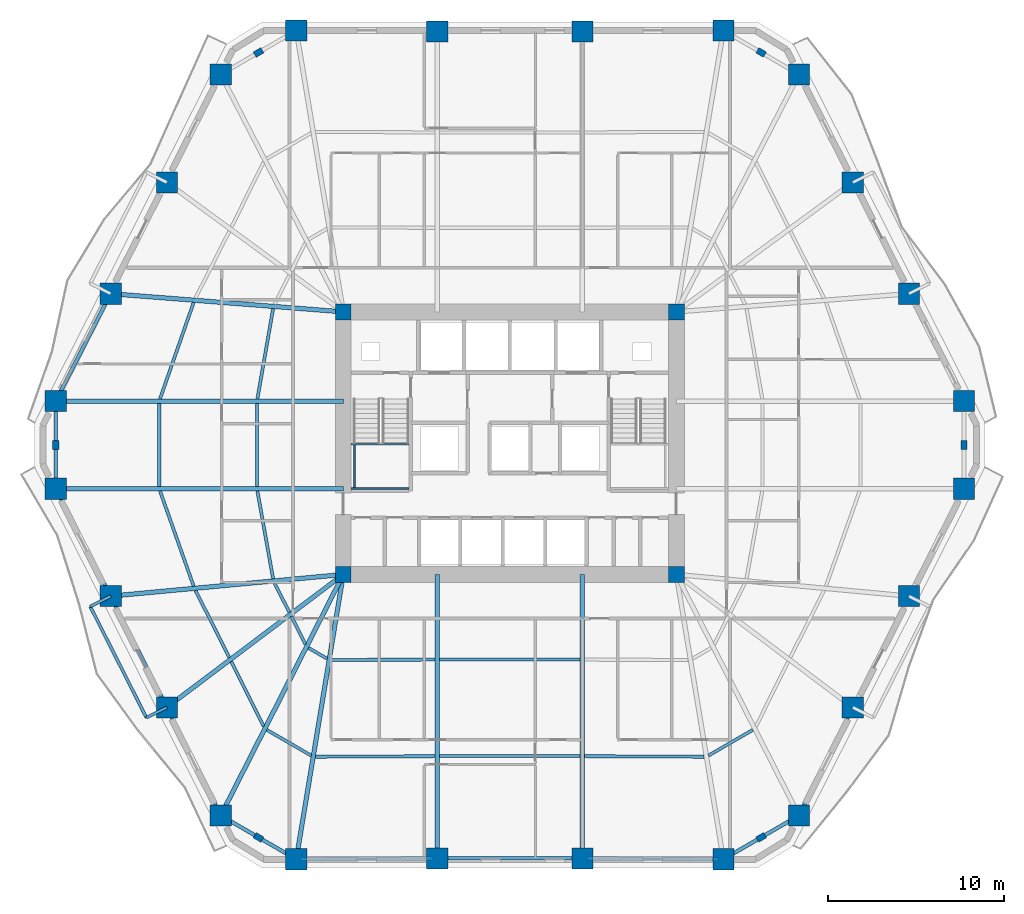
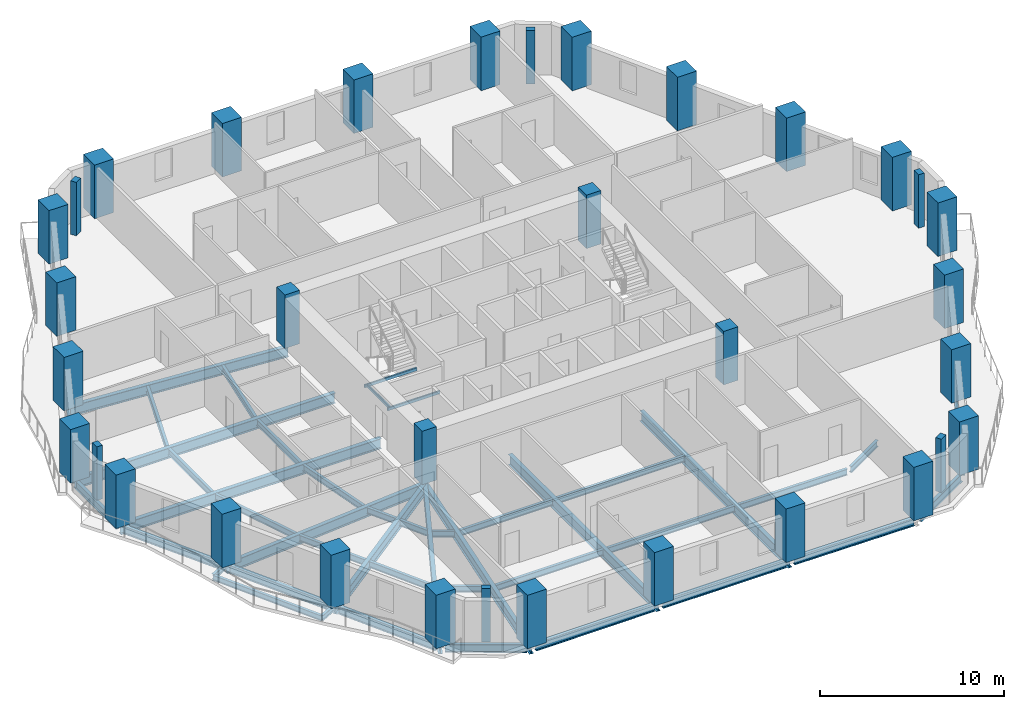
# One storey, part 1 of 11: 44 beams, 34 columns.
"""IFC4 building model written with IfcOpenShell, lengths in metres."""

import ifcopenshell
import ifcopenshell.guid

model = None  # the IFC model being written
_history = None  # IfcOwnerHistory: only IFC2X3 demands one
_inside = {}  # id of a spatial element -> (the spatial element, [elements in it])
_under = {}  # id of a project, library or spatial element -> (it, [spatial elements below it])
_declared = {}  # id of a project -> (the project, [libraries it declares])
_typed = {}  # id of a type object -> (the type object, [elements of that type])
_made_of = {}  # id of a material, layer set ... -> (it, [elements and type objects made of it])


def new_model(schema):
    """Start an empty IFC model of exactly this schema.

    Asked for "IFC4X3", IfcOpenShell would pick the latest addendum, in which some entities
    have other attributes; the version numbers below select the first issue.
    IFC2X3 requires an IfcOwnerHistory on every rooted entity: one is made here for all.
    """
    global model, _history
    if schema == "IFC4X3":
        model = ifcopenshell.file(schema_version=(4, 3, 0, 0))
    else:
        model = ifcopenshell.file(schema=schema)
    _inside.clear()
    _under.clear()
    _declared.clear()
    _typed.clear()
    _made_of.clear()
    _history = None
    if model.schema == "IFC2X3":
        org = make("IfcOrganization", Name="unknown")
        user = make(
            "IfcPersonAndOrganization",
            ThePerson=make("IfcPerson", FamilyName="unknown"),
            TheOrganization=org,
        )
        app = make(
            "IfcApplication",
            ApplicationDeveloper=org,
            Version="unknown",
            ApplicationFullName="unknown",
            ApplicationIdentifier="unknown",
        )
        _history = make(
            "IfcOwnerHistory",
            OwningUser=user,
            OwningApplication=app,
            ChangeAction="ADDED",
            CreationDate=0,
        )
    return model


def make(cls, **values):
    """One entity of the class cls with the attributes given. An attribute that is None is left unset."""
    return model.create_entity(
        cls, **{name: value for name, value in values.items() if value is not None}
    )


def rooted(cls, **values):
    """An entity with a GlobalId (a new one), such as an element, a storey or a relation."""
    return make(cls, GlobalId=ifcopenshell.guid.new(), OwnerHistory=_history, **values)


def si_unit(unit_type, name, prefix=None):
    """IfcSIUnit, for example si_unit("LENGTHUNIT", "METRE", prefix="MILLI")."""
    return make("IfcSIUnit", UnitType=unit_type, Prefix=prefix, Name=name)


def assignment(units):
    """IfcUnitAssignment: the units of a project."""
    return None if units is None else make("IfcUnitAssignment", Units=units)


def point(xyz):
    """IfcCartesianPoint."""
    return None if xyz is None else make("IfcCartesianPoint", Coordinates=xyz)


def direction(xyz):
    """IfcDirection."""
    return None if xyz is None else make("IfcDirection", DirectionRatios=xyz)


def frame(location, z_axis=None, x_axis=None):
    """IfcAxis2Placement3D, a coordinate frame: its origin and axes. An axis left out is left unset."""
    return make(
        "IfcAxis2Placement3D",
        Location=point(location),
        Axis=direction(z_axis),
        RefDirection=direction(x_axis),
    )


def frame_2d(location, x_axis=None):
    """IfcAxis2Placement2D, a coordinate frame in the plane: its origin and x axis."""
    return make(
        "IfcAxis2Placement2D", Location=point(location), RefDirection=direction(x_axis)
    )


def origin():
    """The frame at (0, 0, 0) with its axes left unset."""
    return frame((0.0, 0.0, 0.0))


def origin_2d():
    """The frame at (0, 0) in the plane with its x axis left unset."""
    return frame_2d((0.0, 0.0))


def place(relative_to, where):
    """IfcLocalPlacement: puts the frame where relative to a parent placement (None: the world)."""
    return make(
        "IfcLocalPlacement", PlacementRelTo=relative_to, RelativePlacement=where
    )


def context(
    kind, dimensions, precision=None, world=None, true_north=None, identifier=None
):
    """IfcGeometricRepresentationContext, for example the 3D "Model" context."""
    return make(
        "IfcGeometricRepresentationContext",
        ContextIdentifier=identifier,
        ContextType=kind,
        CoordinateSpaceDimension=dimensions,
        Precision=precision,
        WorldCoordinateSystem=world,
        TrueNorth=true_north,
    )


def subcontext(parent, identifier, kind, view, scale=None):
    """IfcGeometricRepresentationSubContext, for example "Body" below "Model"."""
    return make(
        "IfcGeometricRepresentationSubContext",
        ContextIdentifier=identifier,
        ContextType=kind,
        ParentContext=parent,
        TargetScale=scale,
        TargetView=view,
    )


def project(units=None, contexts=None):
    """IfcProject with its units and contexts."""
    return rooted(
        "IfcProject",
        Name="project",
        RepresentationContexts=contexts,
        UnitsInContext=assignment(units),
    )


def spatial(cls, under=None, at=None, **own):
    """A site, building, storey or space (cls), placed at a placement, below another one or the project."""
    s = rooted(cls, ObjectPlacement=at, **own)
    if under is not None:
        _under.setdefault(under.id(), (under, []))[1].append(s)
    return s


def profile(cls, at=None, kind="AREA", **sizes):
    """A parametric profile (cls). Its sizes go by their IFC names, for example OverallWidth=200.0."""
    return make(cls, ProfileType=kind, Position=at, **sizes)


def rectangle(**sizes):
    """IfcRectangleProfileDef."""
    return profile("IfcRectangleProfileDef", **sizes)


def hollow_rectangle(**sizes):
    """IfcRectangleHollowProfileDef."""
    return profile("IfcRectangleHollowProfileDef", **sizes)


def i_section(**sizes):
    """IfcIShapeProfileDef."""
    return profile("IfcIShapeProfileDef", **sizes)


def extrude(swept, where, along, depth):
    """IfcExtrudedAreaSolid: the profile swept, set in the frame where, extruded along a direction by depth."""
    return make(
        "IfcExtrudedAreaSolid",
        SweptArea=swept,
        Position=where,
        ExtrudedDirection=direction(along),
        Depth=depth,
    )


def shape(context_of_items, identifier, shape_type, items):
    """IfcShapeRepresentation: the items that make up one representation, for example the "Body"."""
    return make(
        "IfcShapeRepresentation",
        ContextOfItems=context_of_items,
        RepresentationIdentifier=identifier,
        RepresentationType=shape_type,
        Items=items,
    )


def material(Name=None, Category=None):
    """IfcMaterial."""
    return make("IfcMaterial", Name=Name, Category=Category)


def material_profile(
    of_material, cross_section, Name=None, Category=None, Priority=None
):
    """IfcMaterialProfile: a cross section and its material."""
    return make(
        "IfcMaterialProfile",
        Name=Name,
        Material=of_material,
        Profile=cross_section,
        Priority=Priority,
        Category=Category,
    )


def profile_set(profiles, Name=None, composite=None):
    """IfcMaterialProfileSet."""
    return make(
        "IfcMaterialProfileSet",
        Name=Name,
        MaterialProfiles=profiles,
        CompositeProfile=composite,
    )


def made_of(thing, what):
    """Note that an element or type object is made of a material, layer set ...; save() writes the relation."""
    if what is not None:
        _made_of.setdefault(what.id(), (what, []))[1].append(thing)
    return thing


def type_object(cls, material=None, **own):
    """A type object (cls), such as IfcWallType, which elements share."""
    return made_of(rooted(cls, **own), material)


def element(
    cls,
    number,
    at=None,
    inside=None,
    cuts=None,
    type_object=None,
    material=None,
    context=None,
    identifier="Body",
    shape_type=None,
    held_by="IfcProductDefinitionShape",
    body=None,
    shapes=None,
    **own,
):
    """One element of the class cls, such as IfcWall. Its Tag is "e" and its number.

    at: its placement. inside: the storey or other place that contains it. cuts: it is an
    opening in that element (IfcRelVoidsElement). A single representation is given by context,
    identifier, shape_type and body (its items); several are given by shapes. held_by: the class
    of the entity that holds the representations. save() writes the other relations.
    """
    e = rooted(cls, Tag="e%d" % number, ObjectPlacement=at, **own)
    if body is not None:
        shapes = [shape(context, identifier, shape_type, body)]
    if shapes is not None:
        e.Representation = make(held_by, Representations=shapes)
    if inside is not None:
        _inside.setdefault(inside.id(), (inside, []))[1].append(e)
    if cuts is not None:
        rooted(
            "IfcRelVoidsElement", RelatingBuildingElement=cuts, RelatedOpeningElement=e
        )
    if type_object is not None:
        _typed.setdefault(type_object.id(), (type_object, []))[1].append(e)
    return made_of(e, material)


def aggregate(whole, parts):
    """IfcRelAggregates: a whole, such as a stair, and the parts it consists of."""
    return rooted("IfcRelAggregates", RelatingObject=whole, RelatedObjects=parts)


def save(model, path):
    """Write the relations noted so far, then the file.

    IfcRelAggregates (storeys below a building ...), IfcRelContainedInSpatialStructure (elements
    in a storey), IfcRelDefinesByType, IfcRelAssociatesMaterial and IfcRelDeclares: one each for
    every whole, place, type object, material and project.
    """
    for whole, parts in _under.values():
        aggregate(whole, parts)
    for where, things in _inside.values():
        rooted(
            "IfcRelContainedInSpatialStructure",
            RelatedElements=things,
            RelatingStructure=where,
        )
    for kind, things in _typed.values():
        rooted("IfcRelDefinesByType", RelatedObjects=things, RelatingType=kind)
    for what, things in _made_of.values():
        rooted("IfcRelAssociatesMaterial", RelatedObjects=things, RelatingMaterial=what)
    for by, libraries in _declared.values():
        rooted("IfcRelDeclares", RelatingContext=by, RelatedDefinitions=libraries)
    model.write(path)


model = new_model("IFC4")

# Units and contexts
model_context = context("Model", 3, precision=1e-05, world=origin(), true_north=direction((0.0, 1.0)))
body_context = subcontext(model_context, "Body", "Model", "MODEL_VIEW")
ifc_project = project(units=[si_unit("LENGTHUNIT", "METRE"), si_unit("AREAUNIT", "SQUARE_METRE"), si_unit("VOLUMEUNIT", "CUBIC_METRE"), si_unit("PLANEANGLEUNIT", "RADIAN"), si_unit("MASSUNIT", "GRAM", prefix="KILO")], contexts=[model_context])

# Site, building, storey
site_placement = place(None, origin())
site = spatial("IfcSite", under=ifc_project, at=site_placement, CompositionType="ELEMENT")
building_placement = place(site_placement, origin())
building = spatial("IfcBuilding", under=site, at=building_placement, Name="Cinnabar Lancet Tower", CompositionType="ELEMENT")
storey_placement = place(building_placement, frame((0.0, 0.0, 56.85009765625)))
storey = spatial("IfcBuildingStorey", under=building, at=storey_placement, Name="L14", CompositionType="ELEMENT", Elevation=56.85009765625)

# Columns
ifc_material_1 = material(Name="Concrete C80/95", Category="concrete")
ifc_material_profile_1 = material_profile(ifc_material_1, rectangle(XDim=0.89990234375, YDim=0.89990234375, at=origin_2d()), Name="RC-COL 900x900")
ifc_profile_set_1 = profile_set([ifc_material_profile_1], Name="Concrete C80/95")
column_type_1 = type_object("IfcColumnType", Name="STR-COL-CORE-900", PredefinedType="COLUMN", material=ifc_profile_set_1)
for number, where, z_axis, x_axis, name in (
    (1, (22.949951171875, 18.449951171875, 0.0), (0.0, 0.0, 1.0), (1.0, 0.0, 0.0), "L14 Core Corner Column SW"),
    (2, (41.85009765625, 18.449951171875, 0.0), (0.0, 0.0, 1.0), (1.0, 0.0, 0.0), "L14 Core Corner Column SE"),
    (3, (41.85009765625, 33.35009765625, 0.0), (0.0, 0.0, 1.0), (1.0, 0.0, 0.0), "L14 Core Corner Column NE"),
    (4, (22.949951171875, 33.35009765625, 0.0), (0.0, 0.0, 1.0), (1.0, 0.0, 0.0), "L14 Core Corner Column NW"),
):
    element("IfcColumn", number, at=place(storey_placement, frame(where, z_axis=z_axis, x_axis=x_axis)), inside=storey, type_object=column_type_1, Name=name, PredefinedType="COLUMN", context=body_context, shape_type="SweptSolid", body=[
        extrude(rectangle(XDim=0.89990234375, YDim=0.89990234375, at=origin_2d()), origin(), (0.0, 0.0, 1.0), 3.5498046875),
    ])
ifc_material_2 = material(Name="Concrete C60/75", Category="concrete")
ifc_material_profile_2 = material_profile(ifc_material_2, rectangle(XDim=0.5, YDim=0.35009765625, at=origin_2d()), Name="RC-PIL 500x350")
ifc_profile_set_2 = profile_set([ifc_material_profile_2], Name="Concrete C60/75")
column_type_2 = type_object("IfcColumnType", Name="STR-COL-PIL-500", PredefinedType="PILASTER", material=ifc_profile_set_2)
for number, where, z_axis, x_axis, name in (
    (5, (18.139892578125, 3.531005859375, 0.0), (0.0, 0.0, 1.0), (0.865195182343, -0.501435236546, 0.0), "L14 Chamfered Corner Pilaster 1"),
    (6, (46.659912109375, 3.531005859375, 0.0), (0.0, 0.0, 1.0), (0.865195182343, 0.501435236546, 0.0), "L14 Chamfered Corner Pilaster 2"),
    (7, (58.16796875, 25.800048828125, 0.0), (0.0, 0.0, 1.0), (0.0, 1.0, 0.0), "L14 Chamfered Corner Pilaster 3"),
    (8, (46.659912109375, 48.069091796875, 0.0), (0.0, 0.0, 1.0), (-0.865195182343, 0.501435236546, 0.0), "L14 Chamfered Corner Pilaster 4"),
    (9, (18.139892578125, 48.069091796875, 0.0), (0.0, 0.0, 1.0), (-0.865195182343, -0.501435236546, 0.0), "L14 Chamfered Corner Pilaster 5"),
    (10, (6.632080078125, 25.800048828125, 0.0), (0.0, 0.0, 1.0), (0.0, -1.0, 0.0), "L14 Chamfered Corner Pilaster 6"),
):
    element("IfcColumn", number, at=place(storey_placement, frame(where, z_axis=z_axis, x_axis=x_axis)), inside=storey, type_object=column_type_2, Name=name, PredefinedType="PILASTER", context=body_context, shape_type="SweptSolid", body=[
        extrude(rectangle(XDim=0.5, YDim=0.35009765625, at=origin_2d()), origin(), (0.0, 0.0, 1.0), 3.5498046875),
    ])
ifc_material_3 = material(Name="Concrete C80/95", Category="concrete")
ifc_material_profile_3 = material_profile(ifc_material_3, rectangle(XDim=1.199951171875, YDim=1.199951171875, at=origin_2d()), Name="RC-COL 1200x1200")
ifc_profile_set_3 = profile_set([ifc_material_profile_3], Name="Concrete C80/95")
column_type_3 = type_object("IfcColumnType", Name="STR-COL-TUBE-1200", PredefinedType="COLUMN", material=ifc_profile_set_3)
for number, where, z_axis, x_axis, name in (
    (11, (20.282958984375, 2.2890625, 0.0), (0.0, 0.0, 1.0), (1.0, 0.0, 0.0), "L14 Perimeter Tube Column 1"),
    (12, (28.278076171875, 2.342041015625, 0.0), (0.0, 0.0, 1.0), (1.0, 0.0, 0.0), "L14 Perimeter Tube Column 2"),
    (13, (36.52197265625, 2.342041015625, 0.0), (0.0, 0.0, 1.0), (1.0, 0.0, 0.0), "L14 Perimeter Tube Column 3"),
    (14, (44.51708984375, 2.2890625, 0.0), (0.0, 0.0, 1.0), (1.0, 0.0, 0.0), "L14 Perimeter Tube Column 4"),
    (15, (48.802978515625, 4.77294921875, 0.0), (0.0, 0.0, 1.0), (1.0, 0.0, 0.0), "L14 Perimeter Tube Column 5"),
    (16, (51.85888671875, 10.908935546875, 0.0), (0.0, 0.0, 1.0), (1.0, 0.0, 0.0), "L14 Perimeter Tube Column 6"),
    (17, (55.0458984375, 17.219970703125, 0.0), (0.0, 0.0, 1.0), (1.0, 0.0, 0.0), "L14 Perimeter Tube Column 7"),
    (18, (58.16796875, 23.31396484375, 0.0), (0.0, 0.0, 1.0), (1.0, 0.0, 0.0), "L14 Perimeter Tube Column 8"),
    (19, (58.16796875, 28.285888671875, 0.0), (0.0, 0.0, 1.0), (1.0, 0.0, 0.0), "L14 Perimeter Tube Column 9"),
    (20, (55.0458984375, 34.3798828125, 0.0), (0.0, 0.0, 1.0), (1.0, 0.0, 0.0), "L14 Perimeter Tube Column 10"),
    (21, (51.85888671875, 40.69091796875, 0.0), (0.0, 0.0, 1.0), (1.0, 0.0, 0.0), "L14 Perimeter Tube Column 11"),
    (22, (48.802978515625, 46.826904296875, 0.0), (0.0, 0.0, 1.0), (1.0, 0.0, 0.0), "L14 Perimeter Tube Column 12"),
    (23, (44.51708984375, 49.31103515625, 0.0), (0.0, 0.0, 1.0), (1.0, 0.0, 0.0), "L14 Perimeter Tube Column 13"),
    (24, (36.52197265625, 49.258056640625, 0.0), (0.0, 0.0, 1.0), (1.0, 0.0, 0.0), "L14 Perimeter Tube Column 14"),
    (25, (28.278076171875, 49.258056640625, 0.0), (0.0, 0.0, 1.0), (1.0, 0.0, 0.0), "L14 Perimeter Tube Column 15"),
    (26, (20.282958984375, 49.31103515625, 0.0), (0.0, 0.0, 1.0), (1.0, 0.0, 0.0), "L14 Perimeter Tube Column 16"),
    (27, (15.9970703125, 46.826904296875, 0.0), (0.0, 0.0, 1.0), (1.0, 0.0, 0.0), "L14 Perimeter Tube Column 17"),
    (28, (12.94091796875, 40.69091796875, 0.0), (0.0, 0.0, 1.0), (1.0, 0.0, 0.0), "L14 Perimeter Tube Column 18"),
    (29, (9.75390625, 34.3798828125, 0.0), (0.0, 0.0, 1.0), (1.0, 0.0, 0.0), "L14 Perimeter Tube Column 19"),
    (30, (6.632080078125, 28.285888671875, 0.0), (0.0, 0.0, 1.0), (1.0, 0.0, 0.0), "L14 Perimeter Tube Column 20"),
    (31, (6.632080078125, 23.31396484375, 0.0), (0.0, 0.0, 1.0), (1.0, 0.0, 0.0), "L14 Perimeter Tube Column 21"),
    (32, (9.75390625, 17.219970703125, 0.0), (0.0, 0.0, 1.0), (1.0, 0.0, 0.0), "L14 Perimeter Tube Column 22"),
    (33, (12.94091796875, 10.908935546875, 0.0), (0.0, 0.0, 1.0), (1.0, 0.0, 0.0), "L14 Perimeter Tube Column 23"),
    (34, (15.9970703125, 4.77294921875, 0.0), (0.0, 0.0, 1.0), (1.0, 0.0, 0.0), "L14 Perimeter Tube Column 24"),
):
    element("IfcColumn", number, at=place(storey_placement, frame(where, z_axis=z_axis, x_axis=x_axis)), inside=storey, type_object=column_type_3, Name=name, PredefinedType="COLUMN", context=body_context, shape_type="SweptSolid", body=[
        extrude(rectangle(XDim=1.199951171875, YDim=1.199951171875, at=origin_2d()), origin(), (0.0, 0.0, 1.0), 3.5498046875),
    ])

# Beams
ifc_material_4 = material(Name="Structural steel S355", Category="steel")
ifc_material_profile_4 = material_profile(ifc_material_4, i_section(OverallWidth=0.177978515625, OverallDepth=0.406494140625, WebThickness=0.0078125, FlangeThickness=0.0126953125, FilletRadius=0.01025390625, at=origin_2d()), Name="UKB 406x178x60")
ifc_profile_set_4 = profile_set([ifc_material_profile_4], Name="Structural steel S355")
beam_type_1 = type_object("IfcBeamType", Name="STR-BM-JST-406", PredefinedType="JOIST", material=ifc_profile_set_4)
beam_1_placement = place(storey_placement, frame((12.551025390625, 23.18701171875, -0.423095703125), z_axis=(0.333384030214, -0.942791115995, 0.0), x_axis=(0.942791115995, 0.333384030214, 0.0)))
element("IfcBeam", 35, at=beam_1_placement, inside=storey, type_object=beam_type_1, Name="L14 Secondary Floor Joist 1", PredefinedType="JOIST", context=body_context, shape_type="SweptSolid", body=[
    extrude(i_section(OverallWidth=0.177978515625, OverallDepth=0.406494140625, WebThickness=0.0078125, FlangeThickness=0.0126953125, FilletRadius=0.01025390625, at=origin_2d()), origin(), (0.0, 0.0, 1.0), 5.728759765625),
])
beam_2_placement = place(storey_placement, frame((18.076904296875, 23.18701171875, -0.423095703125), z_axis=(0.176294913937, -0.984337393031, 0.0), x_axis=(0.984337393031, 0.176294913937, 0.0)))
element("IfcBeam", 36, at=beam_2_placement, inside=storey, type_object=beam_type_1, Name="L14 Secondary Floor Joist 2", PredefinedType="JOIST", context=body_context, shape_type="SweptSolid", body=[
    extrude(i_section(OverallWidth=0.177978515625, OverallDepth=0.406494140625, WebThickness=0.0078125, FlangeThickness=0.0126953125, FilletRadius=0.01025390625, at=origin_2d()), origin(), (0.0, 0.0, 1.0), 5.060302734375),
])
beam_3_placement = place(storey_placement, frame((14.56591796875, 17.541015625, -0.423095703125), z_axis=(0.450809572228, -0.892620148545, 0.0), x_axis=(0.892620148545, 0.450809572228, 0.0)))
element("IfcBeam", 37, at=beam_3_placement, inside=storey, type_object=beam_type_1, Name="L14 Secondary Floor Joist 3", PredefinedType="JOIST", context=body_context, shape_type="SweptSolid", body=[
    extrude(i_section(OverallWidth=0.177978515625, OverallDepth=0.406494140625, WebThickness=0.0078125, FlangeThickness=0.0126953125, FilletRadius=0.01025390625, at=origin_2d()), origin(), (0.0, 0.0, 1.0), 4.25927734375),
])
beam_4_placement = place(storey_placement, frame((19.052978515625, 17.958984375, -0.423095703125), z_axis=(0.450632179195, -0.892709717139, 0.0), x_axis=(0.892709717139, 0.450632179195, 0.0)))
element("IfcBeam", 38, at=beam_4_placement, inside=storey, type_object=beam_type_1, Name="L14 Secondary Floor Joist 4", PredefinedType="JOIST", context=body_context, shape_type="SweptSolid", body=[
    extrude(i_section(OverallWidth=0.177978515625, OverallDepth=0.406494140625, WebThickness=0.0078125, FlangeThickness=0.0126953125, FilletRadius=0.01025390625, at=origin_2d()), origin(), (0.0, 0.0, 1.0), 1.85498046875),
])
beam_5_placement = place(storey_placement, frame((16.60205078125, 13.508056640625, -0.423095703125), z_axis=(0.445807799253, -0.895128709251, 0.0), x_axis=(0.895128709251, 0.445807799253, 0.0)))
element("IfcBeam", 39, at=beam_5_placement, inside=storey, type_object=beam_type_1, Name="L14 Secondary Floor Joist 5", PredefinedType="JOIST", context=body_context, shape_type="SweptSolid", body=[
    extrude(i_section(OverallWidth=0.177978515625, OverallDepth=0.406494140625, WebThickness=0.0078125, FlangeThickness=0.0126953125, FilletRadius=0.01025390625, at=origin_2d()), origin(), (0.0, 0.0, 1.0), 4.10009765625),
])
beam_6_placement = place(storey_placement, frame((20.0048828125, 16.072021484375, -0.423095703125), z_axis=(0.445888683384, -0.895088421347, 0.0), x_axis=(0.895088421347, 0.445888683384, 0.0)))
element("IfcBeam", 40, at=beam_6_placement, inside=storey, type_object=beam_type_1, Name="L14 Secondary Floor Joist 6", PredefinedType="JOIST", context=body_context, shape_type="SweptSolid", body=[
    extrude(i_section(OverallWidth=0.177978515625, OverallDepth=0.406494140625, WebThickness=0.0078125, FlangeThickness=0.0126953125, FilletRadius=0.01025390625, at=origin_2d()), origin(), (0.0, 0.0, 1.0), 1.76953125),
])
beam_7_placement = place(storey_placement, frame((18.610107421875, 9.633056640625, -0.423095703125), z_axis=(0.865209684948, -0.501410212373, 0.0), x_axis=(0.501410212373, 0.865209684948, 0.0)))
element("IfcBeam", 41, at=beam_7_placement, inside=storey, type_object=beam_type_1, Name="L14 Secondary Floor Joist 7", PredefinedType="JOIST", context=body_context, shape_type="SweptSolid", body=[
    extrude(i_section(OverallWidth=0.177978515625, OverallDepth=0.406494140625, WebThickness=0.0078125, FlangeThickness=0.0126953125, FilletRadius=0.01025390625, at=origin_2d()), origin(), (0.0, 0.0, 1.0), 2.90771484375),
])
beam_8_placement = place(storey_placement, frame((20.97412109375, 14.282958984375, -0.423095703125), z_axis=(0.865417177575, -0.50105200205, 0.0), x_axis=(0.50105200205, 0.865417177575, 0.0)))
element("IfcBeam", 42, at=beam_8_placement, inside=storey, type_object=beam_type_1, Name="L14 Secondary Floor Joist 8", PredefinedType="JOIST", context=body_context, shape_type="SweptSolid", body=[
    extrude(i_section(OverallWidth=0.177978515625, OverallDepth=0.406494140625, WebThickness=0.0078125, FlangeThickness=0.0126953125, FilletRadius=0.01025390625, at=origin_2d()), origin(), (0.0, 0.0, 1.0), 1.223388671875),
])
beam_9_placement = place(storey_placement, frame((21.3720703125, 8.10791015625, -0.423095703125), z_axis=(0.999988870422, 0.004717947923, 0.0), x_axis=(-0.004717947923, 0.999988870422, 0.0)))
element("IfcBeam", 43, at=beam_9_placement, inside=storey, type_object=beam_type_1, Name="L14 Secondary Floor Joist 9", PredefinedType="JOIST", context=body_context, shape_type="SweptSolid", body=[
    extrude(i_section(OverallWidth=0.177978515625, OverallDepth=0.406494140625, WebThickness=0.0078125, FlangeThickness=0.0126953125, FilletRadius=0.01025390625, at=origin_2d()), origin(), (0.0, 0.0, 1.0), 6.77880859375),
])
beam_10_placement = place(storey_placement, frame((22.279052734375, 13.60205078125, -0.423095703125), z_axis=(0.999996783665, 0.00253626892, 0.0), x_axis=(-0.00253626892, 0.999996783665, 0.0)))
element("IfcBeam", 44, at=beam_10_placement, inside=storey, type_object=beam_type_1, Name="L14 Secondary Floor Joist 10", PredefinedType="JOIST", context=body_context, shape_type="SweptSolid", body=[
    extrude(i_section(OverallWidth=0.177978515625, OverallDepth=0.406494140625, WebThickness=0.0078125, FlangeThickness=0.0126953125, FilletRadius=0.01025390625, at=origin_2d()), origin(), (0.0, 0.0, 1.0), 5.871826171875),
])
for number, where, z_axis, x_axis, name in (
    (45, (28.405029296875, 8.14111328125, -0.423095703125), (1.0, 0.0, 0.0), (0.0, 1.0, 0.0), "L14 Secondary Floor Joist 11"),
    (46, (28.405029296875, 13.617919921875, -0.423095703125), (1.0, 0.0, 0.0), (0.0, 1.0, 0.0), "L14 Secondary Floor Joist 12"),
):
    element("IfcBeam", number, at=place(storey_placement, frame(where, z_axis=z_axis, x_axis=x_axis)), inside=storey, type_object=beam_type_1, Name=name, PredefinedType="JOIST", context=body_context, shape_type="SweptSolid", body=[
        extrude(i_section(OverallWidth=0.177978515625, OverallDepth=0.406494140625, WebThickness=0.0078125, FlangeThickness=0.0126953125, FilletRadius=0.01025390625, at=origin_2d()), origin(), (0.0, 0.0, 1.0), 7.989990234375),
    ])
beam_11_placement = place(storey_placement, frame((36.64892578125, 8.139892578125, -0.423095703125), z_axis=(0.999988871223, -0.004717778015, 0.0), x_axis=(0.004717778015, 0.999988871223, 0.0)))
element("IfcBeam", 47, at=beam_11_placement, inside=storey, type_object=beam_type_1, Name="L14 Secondary Floor Joist 13", PredefinedType="JOIST", context=body_context, shape_type="SweptSolid", body=[
    extrude(i_section(OverallWidth=0.177978515625, OverallDepth=0.406494140625, WebThickness=0.0078125, FlangeThickness=0.0126953125, FilletRadius=0.01025390625, at=origin_2d()), origin(), (0.0, 0.0, 1.0), 6.779052734375),
])
beam_12_placement = place(storey_placement, frame((43.674072265625, 8.175048828125, -0.423095703125), z_axis=(0.865209684948, 0.501410212373, 0.0), x_axis=(-0.501410212373, 0.865209684948, 0.0)))
element("IfcBeam", 48, at=beam_12_placement, inside=storey, type_object=beam_type_1, Name="L14 Secondary Floor Joist 15", PredefinedType="JOIST", context=body_context, shape_type="SweptSolid", body=[
    extrude(i_section(OverallWidth=0.177978515625, OverallDepth=0.406494140625, WebThickness=0.0078125, FlangeThickness=0.0126953125, FilletRadius=0.01025390625, at=origin_2d()), origin(), (0.0, 0.0, 1.0), 2.90771484375),
])
beam_13_placement = place(storey_placement, frame((14.4609375, 33.885009765625, -0.423095703125), z_axis=(-0.329541584143, -0.944141061664, 0.0), x_axis=(0.944141061664, -0.329541584143, 0.0)))
element("IfcBeam", 49, at=beam_13_placement, inside=storey, type_object=beam_type_1, Name="L14 Secondary Floor Joist 45", PredefinedType="JOIST", context=body_context, shape_type="SweptSolid", body=[
    extrude(i_section(OverallWidth=0.177978515625, OverallDepth=0.406494140625, WebThickness=0.0078125, FlangeThickness=0.0126953125, FilletRadius=0.01025390625, at=origin_2d()), origin(), (0.0, 0.0, 1.0), 5.795654296875),
])
beam_14_placement = place(storey_placement, frame((18.968994140625, 33.532958984375, -0.423095703125), z_axis=(-0.17165440437, -0.985157228802, 0.0), x_axis=(0.985157228802, -0.17165440437, 0.0)))
element("IfcBeam", 50, at=beam_14_placement, inside=storey, type_object=beam_type_1, Name="L14 Secondary Floor Joist 46", PredefinedType="JOIST", context=body_context, shape_type="SweptSolid", body=[
    extrude(i_section(OverallWidth=0.177978515625, OverallDepth=0.406494140625, WebThickness=0.0078125, FlangeThickness=0.0126953125, FilletRadius=0.01025390625, at=origin_2d()), origin(), (0.0, 0.0, 1.0), 5.197021484375),
])
for number, where, z_axis, x_axis, name in (
    (51, (12.506103515625, 28.158935546875, -0.423095703125), (0.0, -1.0, 0.0), (1.0, 0.0, 0.0), "L14 Secondary Floor Joist 47"),
    (52, (18.054931640625, 28.158935546875, -0.423095703125), (0.0, -1.0, 0.0), (1.0, 0.0, 0.0), "L14 Secondary Floor Joist 48"),
):
    element("IfcBeam", number, at=place(storey_placement, frame(where, z_axis=z_axis, x_axis=x_axis)), inside=storey, type_object=beam_type_1, Name=name, PredefinedType="JOIST", context=body_context, shape_type="SweptSolid", body=[
        extrude(i_section(OverallWidth=0.177978515625, OverallDepth=0.406494140625, WebThickness=0.0078125, FlangeThickness=0.0126953125, FilletRadius=0.01025390625, at=origin_2d()), origin(), (0.0, 0.0, 1.0), 4.718017578125),
    ])
ifc_material_5 = material(Name="Structural steel S355", Category="steel")
ifc_material_profile_5 = material_profile(ifc_material_5, hollow_rectangle(XDim=0.10009765625, YDim=0.199951171875, WallThickness=0.008056640625, InnerFilletRadius=0.00390625, OuterFilletRadius=0.011962890625, at=origin_2d()), Name="RHS 200x100x8")
ifc_profile_set_5 = profile_set([ifc_material_profile_5], Name="Structural steel S355")
beam_type_2 = type_object("IfcBeamType", Name="STR-BM-LND-203", PredefinedType="BEAM", material=ifc_profile_set_5)
for number, where, z_axis, x_axis, name in (
    (53, (23.39990234375, 23.330078125, 1.474853515625), (1.0, 0.0, 0.0), (0.0, 1.0, 0.0), "L14 ST-1-L14 Landing Support Beam S"),
    (54, (23.39990234375, 25.844970703125, 1.474853515625), (1.0, 0.0, 0.0), (0.0, 1.0, 0.0), "L14 ST-1-L14 Landing Support Beam N"),
):
    element("IfcBeam", number, at=place(storey_placement, frame(where, z_axis=z_axis, x_axis=x_axis)), inside=storey, type_object=beam_type_2, Name=name, PredefinedType="BEAM", context=body_context, shape_type="SweptSolid", body=[
        extrude(hollow_rectangle(XDim=0.10009765625, YDim=0.199951171875, WallThickness=0.008056640625, InnerFilletRadius=0.00390625, OuterFilletRadius=0.011962890625, at=origin_2d()), origin(), (0.0, 0.0, 1.0), 3.280029296875),
    ])
beam_15_placement = place(storey_placement, frame((23.580078125, 23.3798828125, 1.474853515625), z_axis=(0.0, 1.0, 0.0), x_axis=(-1.0, 0.0, 0.0)))
element("IfcBeam", 55, at=beam_15_placement, inside=storey, type_object=beam_type_2, Name="L14 ST-1-L14 Landing Side Trimmer Beam", PredefinedType="BEAM", context=body_context, shape_type="SweptSolid", body=[
    extrude(hollow_rectangle(XDim=0.10009765625, YDim=0.199951171875, WallThickness=0.008056640625, InnerFilletRadius=0.00390625, OuterFilletRadius=0.011962890625, at=origin_2d()), origin(), (0.0, 0.0, 1.0), 2.4150390625),
])
ifc_material_6 = material(Name="Structural steel S355", Category="steel")
ifc_material_profile_6 = material_profile(ifc_material_6, i_section(OverallWidth=0.209228515625, OverallDepth=0.533203125, WebThickness=0.010009765625, FlangeThickness=0.015625, FilletRadius=0.0126953125, at=origin_2d()), Name="UKB 533x210x92")
ifc_profile_set_6 = profile_set([ifc_material_profile_6], Name="Structural steel S355")
beam_type_3 = type_object("IfcBeamType", Name="STR-BM-SPN-533", PredefinedType="SPANDREL", material=ifc_profile_set_6)
beam_16_placement = place(storey_placement, frame((20.532958984375, 2.291015625, -0.487060546875), z_axis=(0.99997856757, 0.006547090947, 0.0), x_axis=(-0.006547090947, 0.99997856757, 0.0)))
element("IfcBeam", 56, at=beam_16_placement, inside=storey, type_object=beam_type_3, Name="L14 Perimeter Spandrel 1", PredefinedType="SPANDREL", context=body_context, shape_type="SweptSolid", body=[
    extrude(i_section(OverallWidth=0.209228515625, OverallDepth=0.533203125, WebThickness=0.010009765625, FlangeThickness=0.015625, FilletRadius=0.0126953125, at=origin_2d()), origin(), (0.0, 0.0, 1.0), 7.495361328125),
])
beam_17_placement = place(storey_placement, frame((28.528076171875, 2.342041015625, -0.487060546875), z_axis=(1.0, 0.0, 0.0), x_axis=(0.0, 1.0, 0.0)))
element("IfcBeam", 57, at=beam_17_placement, inside=storey, type_object=beam_type_3, Name="L14 Perimeter Spandrel 2", PredefinedType="SPANDREL", context=body_context, shape_type="SweptSolid", body=[
    extrude(i_section(OverallWidth=0.209228515625, OverallDepth=0.533203125, WebThickness=0.010009765625, FlangeThickness=0.015625, FilletRadius=0.0126953125, at=origin_2d()), origin(), (0.0, 0.0, 1.0), 7.743896484375),
])
beam_18_placement = place(storey_placement, frame((36.77197265625, 2.340087890625, -0.487060546875), z_axis=(0.99997856757, -0.006547090947, 0.0), x_axis=(0.006547090947, 0.99997856757, 0.0)))
element("IfcBeam", 58, at=beam_18_placement, inside=storey, type_object=beam_type_3, Name="L14 Perimeter Spandrel 3", PredefinedType="SPANDREL", context=body_context, shape_type="SweptSolid", body=[
    extrude(i_section(OverallWidth=0.209228515625, OverallDepth=0.533203125, WebThickness=0.010009765625, FlangeThickness=0.015625, FilletRadius=0.0126953125, at=origin_2d()), origin(), (0.0, 0.0, 1.0), 7.495361328125),
])
beam_19_placement = place(storey_placement, frame((44.73291015625, 2.4140625, -0.487060546875), z_axis=(0.865171017323, 0.501476929463, 0.0), x_axis=(-0.501476929463, 0.865171017323, 0.0)))
element("IfcBeam", 59, at=beam_19_placement, inside=storey, type_object=beam_type_3, Name="L14 Perimeter Spandrel 4", PredefinedType="SPANDREL", context=body_context, shape_type="SweptSolid", body=[
    extrude(i_section(OverallWidth=0.209228515625, OverallDepth=0.533203125, WebThickness=0.010009765625, FlangeThickness=0.015625, FilletRadius=0.0126953125, at=origin_2d()), origin(), (0.0, 0.0, 1.0), 4.45458984375),
])
beam_20_placement = place(storey_placement, frame((48.9140625, 4.9970703125, -0.487060546875), z_axis=(0.445953050023, 0.89505635419, 0.0), x_axis=(-0.89505635419, 0.445953050023, 0.0)))
element("IfcBeam", 60, at=beam_20_placement, inside=storey, type_object=beam_type_3, Name="L14 Perimeter Spandrel 5", PredefinedType="SPANDREL", context=body_context, shape_type="SweptSolid", body=[
    extrude(i_section(OverallWidth=0.209228515625, OverallDepth=0.533203125, WebThickness=0.010009765625, FlangeThickness=0.015625, FilletRadius=0.0126953125, at=origin_2d()), origin(), (0.0, 0.0, 1.0), 6.35498046875),
])
beam_21_placement = place(storey_placement, frame((9.639892578125, 34.156982421875, -0.487060546875), z_axis=(-0.455994051912, -0.889982822655, 0.0), x_axis=(0.889982822655, -0.455994051912, 0.0)))
element("IfcBeam", 61, at=beam_21_placement, inside=storey, type_object=beam_type_3, Name="L14 Perimeter Spandrel 19", PredefinedType="SPANDREL", context=body_context, shape_type="SweptSolid", body=[
    extrude(i_section(OverallWidth=0.209228515625, OverallDepth=0.533203125, WebThickness=0.010009765625, FlangeThickness=0.015625, FilletRadius=0.0126953125, at=origin_2d()), origin(), (0.0, 0.0, 1.0), 6.34619140625),
])
beam_22_placement = place(storey_placement, frame((6.632080078125, 28.035888671875, -0.487060546875), z_axis=(0.0, -1.0, 0.0), x_axis=(1.0, 0.0, 0.0)))
element("IfcBeam", 62, at=beam_22_placement, inside=storey, type_object=beam_type_3, Name="L14 Perimeter Spandrel 20", PredefinedType="SPANDREL", context=body_context, shape_type="SweptSolid", body=[
    extrude(i_section(OverallWidth=0.209228515625, OverallDepth=0.533203125, WebThickness=0.010009765625, FlangeThickness=0.015625, FilletRadius=0.0126953125, at=origin_2d()), origin(), (0.0, 0.0, 1.0), 4.471923828125),
])
beam_23_placement = place(storey_placement, frame((6.74609375, 23.091064453125, -0.487060546875), z_axis=(0.455994051912, -0.889982822655, 0.0), x_axis=(0.889982822655, 0.455994051912, 0.0)))
element("IfcBeam", 63, at=beam_23_placement, inside=storey, type_object=beam_type_3, Name="L14 Perimeter Spandrel 21", PredefinedType="SPANDREL", context=body_context, shape_type="SweptSolid", body=[
    extrude(i_section(OverallWidth=0.209228515625, OverallDepth=0.533203125, WebThickness=0.010009765625, FlangeThickness=0.015625, FilletRadius=0.0126953125, at=origin_2d()), origin(), (0.0, 0.0, 1.0), 6.34619140625),
])
beam_24_placement = place(storey_placement, frame((9.866943359375, 16.9970703125, -0.487060546875), z_axis=(0.450673532306, -0.892688841242, 0.0), x_axis=(0.892688841242, 0.450673532306, 0.0)))
element("IfcBeam", 64, at=beam_24_placement, inside=storey, type_object=beam_type_3, Name="L14 Perimeter Spandrel 22", PredefinedType="SPANDREL", context=body_context, shape_type="SweptSolid", body=[
    extrude(i_section(OverallWidth=0.209228515625, OverallDepth=0.533203125, WebThickness=0.010009765625, FlangeThickness=0.015625, FilletRadius=0.0126953125, at=origin_2d()), origin(), (0.0, 0.0, 1.0), 6.570068359375),
])
beam_25_placement = place(storey_placement, frame((13.052001953125, 10.68505859375, -0.487060546875), z_axis=(0.445953050023, -0.89505635419, 0.0), x_axis=(0.89505635419, 0.445953050023, 0.0)))
element("IfcBeam", 65, at=beam_25_placement, inside=storey, type_object=beam_type_3, Name="L14 Perimeter Spandrel 23", PredefinedType="SPANDREL", context=body_context, shape_type="SweptSolid", body=[
    extrude(i_section(OverallWidth=0.209228515625, OverallDepth=0.533203125, WebThickness=0.010009765625, FlangeThickness=0.015625, FilletRadius=0.0126953125, at=origin_2d()), origin(), (0.0, 0.0, 1.0), 6.35498046875),
])
beam_26_placement = place(storey_placement, frame((16.212890625, 4.64794921875, -0.487060546875), z_axis=(0.865171017323, -0.501476929463, 0.0), x_axis=(0.501476929463, 0.865171017323, 0.0)))
element("IfcBeam", 66, at=beam_26_placement, inside=storey, type_object=beam_type_3, Name="L14 Perimeter Spandrel 24", PredefinedType="SPANDREL", context=body_context, shape_type="SweptSolid", body=[
    extrude(i_section(OverallWidth=0.209228515625, OverallDepth=0.533203125, WebThickness=0.010009765625, FlangeThickness=0.015625, FilletRadius=0.0126953125, at=origin_2d()), origin(), (0.0, 0.0, 1.0), 4.45458984375),
])
ifc_material_7 = material(Name="Structural steel S355", Category="steel")
ifc_material_profile_7 = material_profile(ifc_material_7, i_section(OverallWidth=0.253662109375, OverallDepth=0.68359375, WebThickness=0.012451171875, FlangeThickness=0.01904296875, FilletRadius=0.01513671875, at=origin_2d()), Name="UKB 686x254x140")
ifc_profile_set_7 = profile_set([ifc_material_profile_7], Name="Structural steel S355")
beam_type_4 = type_object("IfcBeamType", Name="STR-BM-UKB686-140", PredefinedType="BEAM", material=ifc_profile_set_7)
beam_27_placement = place(storey_placement, frame((12.94091796875, 10.908935546875, -0.56201171875), z_axis=(0.798686588468, 0.601747233812, 0.0), x_axis=(-0.601747233812, 0.798686588468, 0.0)))
element("IfcBeam", 67, at=beam_27_placement, inside=storey, type_object=beam_type_4, Name="L14 Corner Collector Girder 1", PredefinedType="BEAM", context=body_context, shape_type="SweptSolid", body=[
    extrude(i_section(OverallWidth=0.253662109375, OverallDepth=0.68359375, WebThickness=0.012451171875, FlangeThickness=0.01904296875, FilletRadius=0.01513671875, at=origin_2d()), origin(), (0.0, 0.0, 1.0), 12.531982421875),
])
beam_28_placement = place(storey_placement, frame((20.282958984375, 2.2890625, -0.56201171875), z_axis=(0.162825264118, 0.986654921117, 0.0), x_axis=(-0.986654921117, 0.162825264118, 0.0)))
element("IfcBeam", 68, at=beam_28_placement, inside=storey, type_object=beam_type_4, Name="L14 Primary Floor Girder 1", PredefinedType="BEAM", context=body_context, shape_type="SweptSolid", body=[
    extrude(i_section(OverallWidth=0.253662109375, OverallDepth=0.68359375, WebThickness=0.012451171875, FlangeThickness=0.01904296875, FilletRadius=0.01513671875, at=origin_2d()), origin(), (0.0, 0.0, 1.0), 16.37939453125),
])
for number, where, z_axis, x_axis, name in (
    (69, (28.278076171875, 2.342041015625, -0.56201171875), (0.0, 1.0, 0.0), (-1.0, 0.0, 0.0), "L14 Primary Floor Girder 2"),
    (70, (36.52197265625, 2.342041015625, -0.56201171875), (0.0, 1.0, 0.0), (-1.0, 0.0, 0.0), "L14 Primary Floor Girder 3"),
):
    element("IfcBeam", number, at=place(storey_placement, frame(where, z_axis=z_axis, x_axis=x_axis)), inside=storey, type_object=beam_type_4, Name=name, PredefinedType="BEAM", context=body_context, shape_type="SweptSolid", body=[
        extrude(i_section(OverallWidth=0.253662109375, OverallDepth=0.68359375, WebThickness=0.012451171875, FlangeThickness=0.01904296875, FilletRadius=0.01513671875, at=origin_2d()), origin(), (0.0, 0.0, 1.0), 16.10791015625),
    ])
beam_29_placement = place(storey_placement, frame((9.75390625, 34.3798828125, -0.56201171875), z_axis=(0.99696891848, -0.077800871365, 0.0), x_axis=(0.077800871365, 0.99696891848, 0.0)))
element("IfcBeam", 71, at=beam_29_placement, inside=storey, type_object=beam_type_4, Name="L14 Primary Floor Girder 19", PredefinedType="BEAM", context=body_context, shape_type="SweptSolid", body=[
    extrude(i_section(OverallWidth=0.253662109375, OverallDepth=0.68359375, WebThickness=0.012451171875, FlangeThickness=0.01904296875, FilletRadius=0.01513671875, at=origin_2d()), origin(), (0.0, 0.0, 1.0), 13.236083984375),
])
for number, where, z_axis, x_axis, name in (
    (72, (6.632080078125, 28.285888671875, -0.56201171875), (1.0, 0.0, 0.0), (0.0, 1.0, 0.0), "L14 Primary Floor Girder 20"),
    (73, (6.632080078125, 23.31396484375, -0.56201171875), (1.0, 0.0, 0.0), (0.0, 1.0, 0.0), "L14 Primary Floor Girder 21"),
):
    element("IfcBeam", number, at=place(storey_placement, frame(where, z_axis=z_axis, x_axis=x_axis)), inside=storey, type_object=beam_type_4, Name=name, PredefinedType="BEAM", context=body_context, shape_type="SweptSolid", body=[
        extrude(i_section(OverallWidth=0.253662109375, OverallDepth=0.68359375, WebThickness=0.012451171875, FlangeThickness=0.01904296875, FilletRadius=0.01513671875, at=origin_2d()), origin(), (0.0, 0.0, 1.0), 16.31787109375),
    ])
beam_30_placement = place(storey_placement, frame((9.75390625, 17.219970703125, -0.56201171875), z_axis=(0.995684210255, 0.092805998987, 0.0), x_axis=(-0.092805998987, 0.995684210255, 0.0)))
element("IfcBeam", 74, at=beam_30_placement, inside=storey, type_object=beam_type_4, Name="L14 Primary Floor Girder 22", PredefinedType="BEAM", context=body_context, shape_type="SweptSolid", body=[
    extrude(i_section(OverallWidth=0.253662109375, OverallDepth=0.68359375, WebThickness=0.012451171875, FlangeThickness=0.01904296875, FilletRadius=0.01513671875, at=origin_2d()), origin(), (0.0, 0.0, 1.0), 13.253173828125),
])
beam_31_placement = place(storey_placement, frame((15.9970703125, 4.77294921875, -0.56201171875), z_axis=(0.453167599586, 0.89142533433, 0.0), x_axis=(-0.89142533433, 0.453167599586, 0.0)))
element("IfcBeam", 75, at=beam_31_placement, inside=storey, type_object=beam_type_4, Name="L14 Primary Floor Girder 24", PredefinedType="BEAM", context=body_context, shape_type="SweptSolid", body=[
    extrude(i_section(OverallWidth=0.253662109375, OverallDepth=0.68359375, WebThickness=0.012451171875, FlangeThickness=0.01904296875, FilletRadius=0.01513671875, at=origin_2d()), origin(), (0.0, 0.0, 1.0), 15.3427734375),
])
ifc_material_8 = material(Name="Structural steel S355", Category="steel")
ifc_material_profile_8 = material_profile(ifc_material_8, i_section(OverallWidth=0.17138671875, OverallDepth=0.35498046875, WebThickness=0.00732421875, FlangeThickness=0.011474609375, FilletRadius=0.01025390625, at=origin_2d()), Name="UKB 356x171x51")
ifc_profile_set_8 = profile_set([ifc_material_profile_8], Name="Structural steel S355")
beam_type_5 = type_object("IfcBeamType", Name="STR-BM-WAV-OUT", PredefinedType="BEAM", material=ifc_profile_set_8)
for number, where, z_axis, x_axis, name in (
    (76, (9.75390625, 17.219970703125, -0.397216796875), (-0.89227592947, -0.451490493464, 0.0), (0.451490493464, -0.89227592947, 0.0), "L14 Face 6 Balcony Outlooker A"),
    (77, (12.94091796875, 10.908935546875, -0.397216796875), (-0.89227592947, -0.451490493464, 0.0), (0.451490493464, -0.89227592947, 0.0), "L14 Face 6 Balcony Outlooker B"),
):
    element("IfcBeam", number, at=place(storey_placement, frame(where, z_axis=z_axis, x_axis=x_axis)), inside=storey, type_object=beam_type_5, Name=name, PredefinedType="BEAM", context=body_context, shape_type="SweptSolid", body=[
        extrude(i_section(OverallWidth=0.17138671875, OverallDepth=0.35498046875, WebThickness=0.00732421875, FlangeThickness=0.011474609375, FilletRadius=0.01025390625, at=origin_2d()), origin(), (0.0, 0.0, 1.0), 1.300048828125),
    ])
ifc_material_9 = material(Name="Structural steel S355", Category="steel")
ifc_material_profile_9 = material_profile(ifc_material_9, i_section(OverallWidth=0.17138671875, OverallDepth=0.35498046875, WebThickness=0.00732421875, FlangeThickness=0.011474609375, FilletRadius=0.01025390625, at=origin_2d()), Name="UKB 356x171x51")
ifc_profile_set_9 = profile_set([ifc_material_profile_9], Name="Structural steel S355")
beam_type_6 = type_object("IfcBeamType", Name="STR-BM-WAV-TRIM", PredefinedType="SPANDREL", material=ifc_profile_set_9)
beam_32_placement = place(storey_placement, frame((8.593994140625, 16.633056640625, -0.397216796875), z_axis=(0.450773692627, -0.892638268301, 0.0), x_axis=(0.892638268301, 0.450773692627, 0.0)))
element("IfcBeam", 78, at=beam_32_placement, inside=storey, type_object=beam_type_6, Name="L14 Face 6 Balcony Edge Trimmer", PredefinedType="SPANDREL", context=body_context, shape_type="SweptSolid", body=[
    extrude(i_section(OverallWidth=0.17138671875, OverallDepth=0.35498046875, WebThickness=0.00732421875, FlangeThickness=0.011474609375, FilletRadius=0.01025390625, at=origin_2d()), origin(), (0.0, 0.0, 1.0), 7.070068359375),
])

save(model, "model.ifc")
